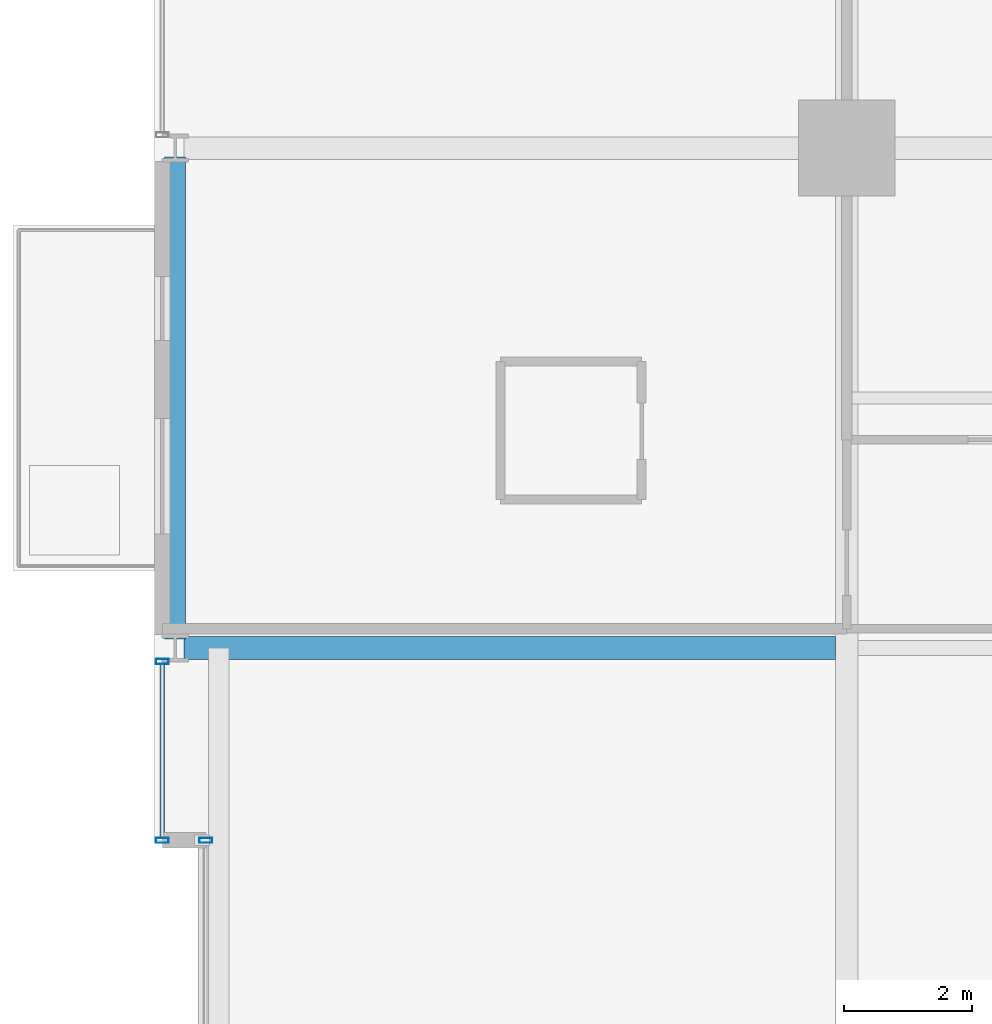
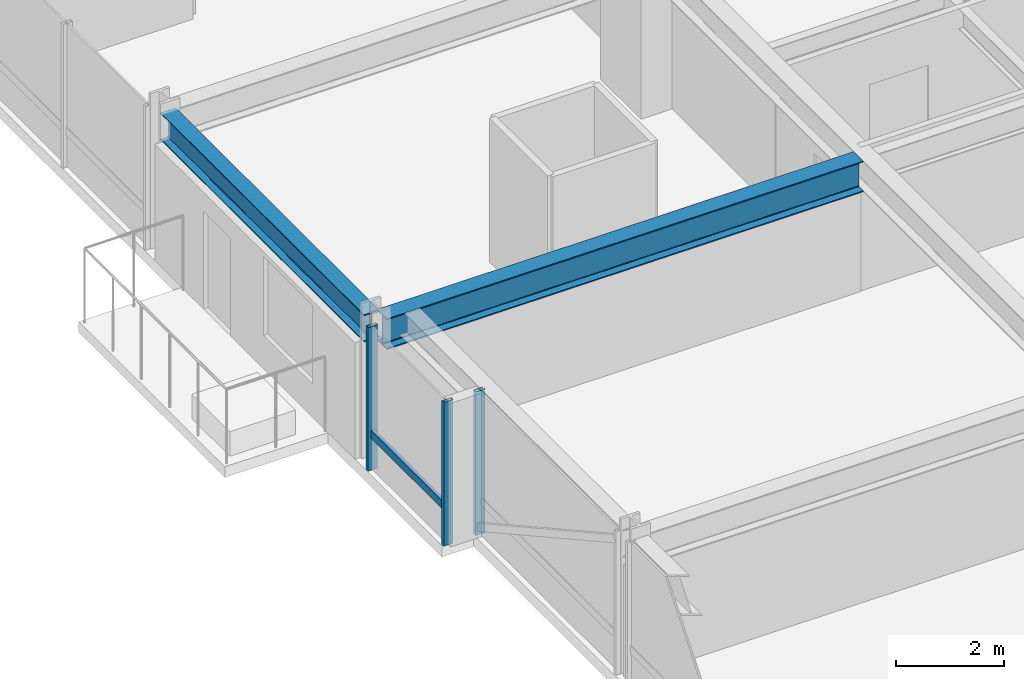
# One storey, part 16 of 35: 4 members, 2 beams, 2 elements without a shape of their own.
"""IFC4 building model written with IfcOpenShell, lengths in metres."""

import ifcopenshell
import ifcopenshell.guid

model = None  # the IFC model being written
_history = None  # IfcOwnerHistory: only IFC2X3 demands one
_inside = {}  # id of a spatial element -> (the spatial element, [elements in it])
_under = {}  # id of a project, library or spatial element -> (it, [spatial elements below it])
_declared = {}  # id of a project -> (the project, [libraries it declares])
_typed = {}  # id of a type object -> (the type object, [elements of that type])
_made_of = {}  # id of a material, layer set ... -> (it, [elements and type objects made of it])


def new_model(schema):
    """Start an empty IFC model of exactly this schema.

    Asked for "IFC4X3", IfcOpenShell would pick the latest addendum, in which some entities
    have other attributes; the version numbers below select the first issue.
    IFC2X3 requires an IfcOwnerHistory on every rooted entity: one is made here for all.
    """
    global model, _history
    if schema == "IFC4X3":
        model = ifcopenshell.file(schema_version=(4, 3, 0, 0))
    else:
        model = ifcopenshell.file(schema=schema)
    _inside.clear()
    _under.clear()
    _declared.clear()
    _typed.clear()
    _made_of.clear()
    _history = None
    if model.schema == "IFC2X3":
        org = make("IfcOrganization", Name="unknown")
        user = make(
            "IfcPersonAndOrganization",
            ThePerson=make("IfcPerson", FamilyName="unknown"),
            TheOrganization=org,
        )
        app = make(
            "IfcApplication",
            ApplicationDeveloper=org,
            Version="unknown",
            ApplicationFullName="unknown",
            ApplicationIdentifier="unknown",
        )
        _history = make(
            "IfcOwnerHistory",
            OwningUser=user,
            OwningApplication=app,
            ChangeAction="ADDED",
            CreationDate=0,
        )
    return model


def make(cls, **values):
    """One entity of the class cls with the attributes given. An attribute that is None is left unset."""
    return model.create_entity(
        cls, **{name: value for name, value in values.items() if value is not None}
    )


def rooted(cls, **values):
    """An entity with a GlobalId (a new one), such as an element, a storey or a relation."""
    return make(cls, GlobalId=ifcopenshell.guid.new(), OwnerHistory=_history, **values)


def si_unit(unit_type, name, prefix=None):
    """IfcSIUnit, for example si_unit("LENGTHUNIT", "METRE", prefix="MILLI")."""
    return make("IfcSIUnit", UnitType=unit_type, Prefix=prefix, Name=name)


def assignment(units):
    """IfcUnitAssignment: the units of a project."""
    return None if units is None else make("IfcUnitAssignment", Units=units)


def point(xyz):
    """IfcCartesianPoint."""
    return None if xyz is None else make("IfcCartesianPoint", Coordinates=xyz)


def direction(xyz):
    """IfcDirection."""
    return None if xyz is None else make("IfcDirection", DirectionRatios=xyz)


def frame(location, z_axis=None, x_axis=None):
    """IfcAxis2Placement3D, a coordinate frame: its origin and axes. An axis left out is left unset."""
    return make(
        "IfcAxis2Placement3D",
        Location=point(location),
        Axis=direction(z_axis),
        RefDirection=direction(x_axis),
    )


def frame_2d(location, x_axis=None):
    """IfcAxis2Placement2D, a coordinate frame in the plane: its origin and x axis."""
    return make(
        "IfcAxis2Placement2D", Location=point(location), RefDirection=direction(x_axis)
    )


def origin():
    """The frame at (0, 0, 0) with its axes left unset."""
    return frame((0.0, 0.0, 0.0))


def origin_2d():
    """The frame at (0, 0) in the plane with its x axis left unset."""
    return frame_2d((0.0, 0.0))


def place(relative_to, where):
    """IfcLocalPlacement: puts the frame where relative to a parent placement (None: the world)."""
    return make(
        "IfcLocalPlacement", PlacementRelTo=relative_to, RelativePlacement=where
    )


def context(
    kind, dimensions, precision=None, world=None, true_north=None, identifier=None
):
    """IfcGeometricRepresentationContext, for example the 3D "Model" context."""
    return make(
        "IfcGeometricRepresentationContext",
        ContextIdentifier=identifier,
        ContextType=kind,
        CoordinateSpaceDimension=dimensions,
        Precision=precision,
        WorldCoordinateSystem=world,
        TrueNorth=true_north,
    )


def subcontext(parent, identifier, kind, view, scale=None):
    """IfcGeometricRepresentationSubContext, for example "Body" below "Model"."""
    return make(
        "IfcGeometricRepresentationSubContext",
        ContextIdentifier=identifier,
        ContextType=kind,
        ParentContext=parent,
        TargetScale=scale,
        TargetView=view,
    )


def project(units=None, contexts=None):
    """IfcProject with its units and contexts."""
    return rooted(
        "IfcProject",
        Name="project",
        RepresentationContexts=contexts,
        UnitsInContext=assignment(units),
    )


def spatial(cls, under=None, at=None, **own):
    """A site, building, storey or space (cls), placed at a placement, below another one or the project."""
    s = rooted(cls, ObjectPlacement=at, **own)
    if under is not None:
        _under.setdefault(under.id(), (under, []))[1].append(s)
    return s


def profile(cls, at=None, kind="AREA", **sizes):
    """A parametric profile (cls). Its sizes go by their IFC names, for example OverallWidth=200.0."""
    return make(cls, ProfileType=kind, Position=at, **sizes)


def hollow_rectangle(**sizes):
    """IfcRectangleHollowProfileDef."""
    return profile("IfcRectangleHollowProfileDef", **sizes)


def i_section(**sizes):
    """IfcIShapeProfileDef."""
    return profile("IfcIShapeProfileDef", **sizes)


def extrude(swept, where, along, depth):
    """IfcExtrudedAreaSolid: the profile swept, set in the frame where, extruded along a direction by depth."""
    return make(
        "IfcExtrudedAreaSolid",
        SweptArea=swept,
        Position=where,
        ExtrudedDirection=direction(along),
        Depth=depth,
    )


def shape(context_of_items, identifier, shape_type, items):
    """IfcShapeRepresentation: the items that make up one representation, for example the "Body"."""
    return make(
        "IfcShapeRepresentation",
        ContextOfItems=context_of_items,
        RepresentationIdentifier=identifier,
        RepresentationType=shape_type,
        Items=items,
    )


def material(Name=None, Category=None):
    """IfcMaterial."""
    return make("IfcMaterial", Name=Name, Category=Category)


def layer(
    of_material, thickness, ventilated=None, Name=None, Category=None, Priority=None
):
    """IfcMaterialLayer: one layer of a wall or slab, of a material (None: an air gap)."""
    return make(
        "IfcMaterialLayer",
        Material=of_material,
        LayerThickness=thickness,
        IsVentilated=ventilated,
        Name=Name,
        Category=Category,
        Priority=Priority,
    )


def layer_set(layers, Name=None):
    """IfcMaterialLayerSet."""
    return make("IfcMaterialLayerSet", MaterialLayers=layers, LayerSetName=Name)


def material_profile(
    of_material, cross_section, Name=None, Category=None, Priority=None
):
    """IfcMaterialProfile: a cross section and its material."""
    return make(
        "IfcMaterialProfile",
        Name=Name,
        Material=of_material,
        Profile=cross_section,
        Priority=Priority,
        Category=Category,
    )


def profile_set(profiles, Name=None, composite=None):
    """IfcMaterialProfileSet."""
    return make(
        "IfcMaterialProfileSet",
        Name=Name,
        MaterialProfiles=profiles,
        CompositeProfile=composite,
    )


def made_of(thing, what):
    """Note that an element or type object is made of a material, layer set ...; save() writes the relation."""
    if what is not None:
        _made_of.setdefault(what.id(), (what, []))[1].append(thing)
    return thing


def type_object(cls, material=None, **own):
    """A type object (cls), such as IfcWallType, which elements share."""
    return made_of(rooted(cls, **own), material)


def element(
    cls,
    number,
    at=None,
    inside=None,
    cuts=None,
    type_object=None,
    material=None,
    context=None,
    identifier="Body",
    shape_type=None,
    held_by="IfcProductDefinitionShape",
    body=None,
    shapes=None,
    **own,
):
    """One element of the class cls, such as IfcWall. Its Tag is "e" and its number.

    at: its placement. inside: the storey or other place that contains it. cuts: it is an
    opening in that element (IfcRelVoidsElement). A single representation is given by context,
    identifier, shape_type and body (its items); several are given by shapes. held_by: the class
    of the entity that holds the representations. save() writes the other relations.
    """
    e = rooted(cls, Tag="e%d" % number, ObjectPlacement=at, **own)
    if body is not None:
        shapes = [shape(context, identifier, shape_type, body)]
    if shapes is not None:
        e.Representation = make(held_by, Representations=shapes)
    if inside is not None:
        _inside.setdefault(inside.id(), (inside, []))[1].append(e)
    if cuts is not None:
        rooted(
            "IfcRelVoidsElement", RelatingBuildingElement=cuts, RelatedOpeningElement=e
        )
    if type_object is not None:
        _typed.setdefault(type_object.id(), (type_object, []))[1].append(e)
    return made_of(e, material)


def aggregate(whole, parts):
    """IfcRelAggregates: a whole, such as a stair, and the parts it consists of."""
    return rooted("IfcRelAggregates", RelatingObject=whole, RelatedObjects=parts)


def save(model, path):
    """Write the relations noted so far, then the file.

    IfcRelAggregates (storeys below a building ...), IfcRelContainedInSpatialStructure (elements
    in a storey), IfcRelDefinesByType, IfcRelAssociatesMaterial and IfcRelDeclares: one each for
    every whole, place, type object, material and project.
    """
    for whole, parts in _under.values():
        aggregate(whole, parts)
    for where, things in _inside.values():
        rooted(
            "IfcRelContainedInSpatialStructure",
            RelatedElements=things,
            RelatingStructure=where,
        )
    for kind, things in _typed.values():
        rooted("IfcRelDefinesByType", RelatedObjects=things, RelatingType=kind)
    for what, things in _made_of.values():
        rooted("IfcRelAssociatesMaterial", RelatedObjects=things, RelatingMaterial=what)
    for by, libraries in _declared.values():
        rooted("IfcRelDeclares", RelatingContext=by, RelatedDefinitions=libraries)
    model.write(path)


model = new_model("IFC4")

# Units and contexts
model_context = context("Model", 3, precision=1e-05, world=origin(), true_north=direction((0.0, 1.0)))
body_context = subcontext(model_context, "Body", "Model", "MODEL_VIEW")
ifc_project = project(units=[si_unit("LENGTHUNIT", "METRE"), si_unit("AREAUNIT", "SQUARE_METRE"), si_unit("VOLUMEUNIT", "CUBIC_METRE"), si_unit("PLANEANGLEUNIT", "RADIAN"), si_unit("MASSUNIT", "GRAM", prefix="KILO")], contexts=[model_context])

# Site, building, storey
site_placement = place(None, origin())
site = spatial("IfcSite", under=ifc_project, at=site_placement, CompositionType="ELEMENT")
building_placement = place(site_placement, origin())
building = spatial("IfcBuilding", under=site, at=building_placement, Name="Drelvath Grand Hotel", CompositionType="ELEMENT")
storey_placement = place(building_placement, frame((0.0, 0.0, 123.300048828125)))
storey = spatial("IfcBuildingStorey", under=building, at=storey_placement, Name="L31", CompositionType="ELEMENT", Elevation=123.300048828125)

# Curtain wall, member
ifc_material_1 = material(Name="Champagne Bronze Anodised Aluminium Frame", Category="aluminium")
ifc_layer = layer(ifc_material_1, 0.199951171875)
ifc_layer_set = layer_set([ifc_layer], Name="Champagne Bronze Anodised Aluminium Frame")
curtain_wall_type = type_object("IfcCurtainWallType", Name="Stick Curtain Wall CW-03 Champagne Bronze Mid-Rise", PredefinedType="NOTDEFINED", material=ifc_layer_set)
curtain_wall_1_placement = place(storey_placement, origin())
curtain_wall_1 = element("IfcCurtainWall", 1, at=curtain_wall_1_placement, inside=storey, type_object=curtain_wall_type, Name="L31 CW-03 Curtain Wall CW03-L31-WN1", PredefinedType="NOTDEFINED")
ifc_material_profile_1 = material_profile(ifc_material_1, hollow_rectangle(XDim=0.074951171875, YDim=0.179931640625, WallThickness=0.0048828125, at=origin_2d()), Name="HSS180X75X5")
ifc_profile_set_1 = profile_set([ifc_material_profile_1], Name="Champagne Bronze Anodised Aluminium Frame")
member_type_1 = type_object("IfcMemberType", Name="Curtain Wall Horizontal Transom CW-03 HSS180X75X5", PredefinedType="USERDEFINED", material=ifc_profile_set_1)
member_1_placement = place(storey_placement, frame((-26.8798828125, 32.43994140625, 0.81005859375), z_axis=(0.0, 1.0, 0.0), x_axis=(-1.0, 0.0, 0.0)))
member_1 = element("IfcMember", 2, at=member_1_placement, type_object=member_type_1, Name="CW03-L31-WN1 Sill Transom", ObjectType="TRANSOM", PredefinedType="USERDEFINED", context=body_context, shape_type="SweptSolid", body=[
    extrude(hollow_rectangle(XDim=0.074951171875, YDim=0.179931640625, WallThickness=0.0048828125, at=origin_2d()), origin(), (0.0, 0.0, 1.0), 2.710693359375),
])

curtain_wall_2_placement = place(storey_placement, origin())
curtain_wall_2 = element("IfcCurtainWall", 3, at=curtain_wall_2_placement, inside=storey, type_object=curtain_wall_type, Name="L31 CW-03 Curtain Wall CW03-L31-WM2", PredefinedType="NOTDEFINED")
ifc_material_profile_2 = material_profile(ifc_material_1, hollow_rectangle(XDim=0.080078125, YDim=0.199951171875, WallThickness=0.0048828125, at=origin_2d()), Name="HSS200X80X5")
ifc_profile_set_2 = profile_set([ifc_material_profile_2], Name="Champagne Bronze Anodised Aluminium Frame")
member_type_2 = type_object("IfcMemberType", Name="Curtain Wall Vertical Mullion CW-03 HSS200X80X5", PredefinedType="MULLION", material=ifc_profile_set_2)
member_2_placement = place(storey_placement, frame((-26.199951171875, 32.39990234375, 0.0), z_axis=(0.0, 0.0, 1.0), x_axis=(0.0, 1.0, 0.0)))
member_2 = element("IfcMember", 4, at=member_2_placement, type_object=member_type_2, Name="CW03-L31-WM2 Mullion 2", PredefinedType="MULLION", context=body_context, shape_type="SweptSolid", body=[
    extrude(hollow_rectangle(XDim=0.080078125, YDim=0.199951171875, WallThickness=0.0048828125, at=origin_2d()), origin(), (0.0, 0.0, 1.0), 3.239990234375),
])
aggregate(curtain_wall_2, [member_2])

# Member
member_3_placement = place(storey_placement, frame((-26.8798828125, 32.39990234375, 0.0), z_axis=(0.0, 0.0, 1.0), x_axis=(0.0, 1.0, 0.0)))
member_3 = element("IfcMember", 5, at=member_3_placement, type_object=member_type_2, Name="CW03-L31-WN1 Mullion 1", PredefinedType="MULLION", context=body_context, shape_type="SweptSolid", body=[
    extrude(hollow_rectangle(XDim=0.080078125, YDim=0.199951171875, WallThickness=0.0048828125, at=origin_2d()), origin(), (0.0, 0.0, 1.0), 3.239990234375),
])

member_4_placement = place(storey_placement, frame((-26.8798828125, 35.190673828125, 0.0), z_axis=(0.0, 0.0, 1.0), x_axis=(0.0, 1.0, 0.0)))
member_4 = element("IfcMember", 6, at=member_4_placement, type_object=member_type_2, Name="CW03-L31-WN1 Mullion 2", PredefinedType="MULLION", context=body_context, shape_type="SweptSolid", body=[
    extrude(hollow_rectangle(XDim=0.080078125, YDim=0.199951171875, WallThickness=0.0048828125, at=origin_2d()), origin(), (0.0, 0.0, 1.0), 3.239990234375),
])

aggregate(curtain_wall_1, [member_3, member_4, member_1])

# Beams
ifc_material_2 = material(Name="Steel ASTM A992 Gr 50", Category="steel")
ifc_material_profile_3 = material_profile(ifc_material_2, i_section(OverallWidth=0.323974609375, OverallDepth=0.611083984375, WebThickness=0.0126953125, FlangeThickness=0.01904296875, FilletRadius=0.02197265625, at=origin_2d()), Name="W24X104")
ifc_profile_set_3 = profile_set([ifc_material_profile_3], Name="Steel ASTM A992 Gr 50")
beam_type_1 = type_object("IfcBeamType", Name="Perimeter Spandrel Beam W24X104", PredefinedType="SPANDREL", material=ifc_profile_set_3)
beam_1_placement = place(storey_placement, frame((-26.679931640625, 35.5400390625, 2.9345703125), z_axis=(0.0, 1.0, 0.0), x_axis=(-1.0, 0.0, 0.0)))
element("IfcBeam", 7, at=beam_1_placement, inside=storey, type_object=beam_type_1, Name="L31 Spandrel West N", PredefinedType="SPANDREL", context=body_context, shape_type="SweptSolid", body=[
    extrude(i_section(OverallWidth=0.323974609375, OverallDepth=0.611083984375, WebThickness=0.0126953125, FlangeThickness=0.01904296875, FilletRadius=0.02197265625, at=origin_2d()), origin(), (0.0, 0.0, 1.0), 7.52001953125),
])
ifc_material_profile_4 = material_profile(ifc_material_2, i_section(OverallWidth=0.354736328125, OverallDepth=0.695556640625, WebThickness=0.015380859375, FlangeThickness=0.025146484375, FilletRadius=0.02392578125, at=origin_2d()), Name="W27X146")
ifc_profile_set_4 = profile_set([ifc_material_profile_4], Name="Steel ASTM A992 Gr 50")
beam_type_2 = type_object("IfcBeamType", Name="Primary Floor Girder W27X146", PredefinedType="BEAM", material=ifc_profile_set_4)
beam_2_placement = place(storey_placement, frame((-26.5400390625, 35.39990234375, 2.892333984375), z_axis=(1.0, 0.0, 0.0), x_axis=(0.0, 1.0, 0.0)))
element("IfcBeam", 8, at=beam_2_placement, inside=storey, type_object=beam_type_2, Name="L31 West Wing Girder F", PredefinedType="BEAM", context=body_context, shape_type="SweptSolid", body=[
    extrude(i_section(OverallWidth=0.354736328125, OverallDepth=0.695556640625, WebThickness=0.015380859375, FlangeThickness=0.025146484375, FilletRadius=0.02392578125, at=origin_2d()), origin(), (0.0, 0.0, 1.0), 10.16259765625),
])

save(model, "model.ifc")
